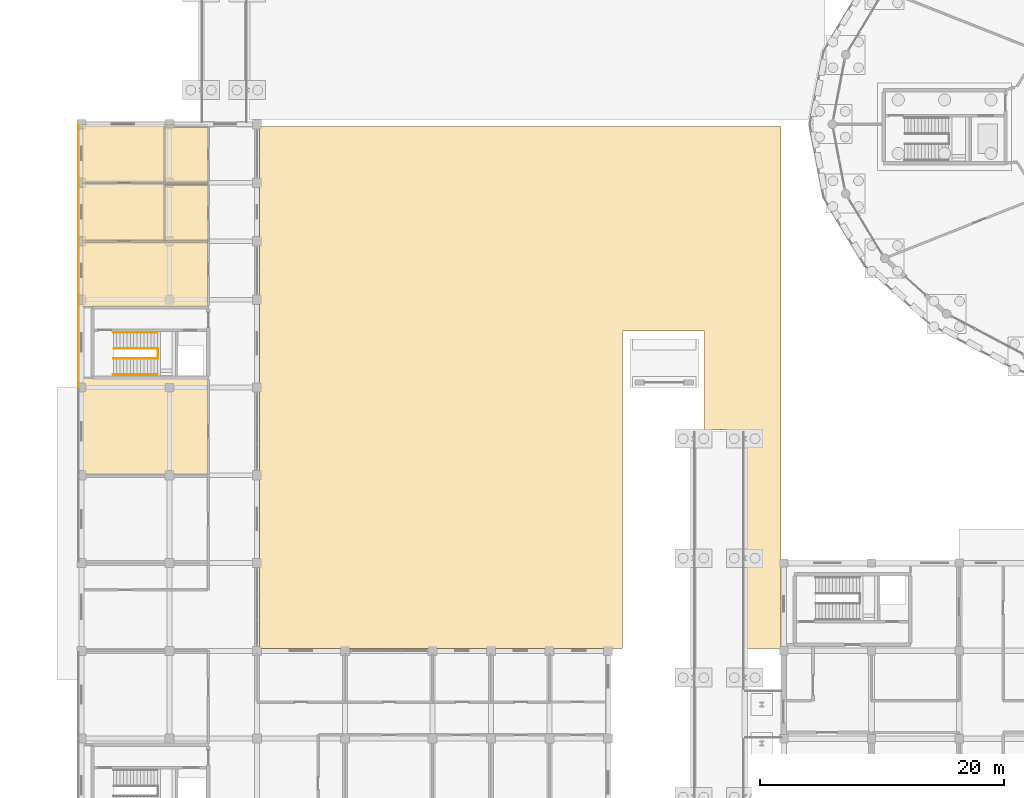
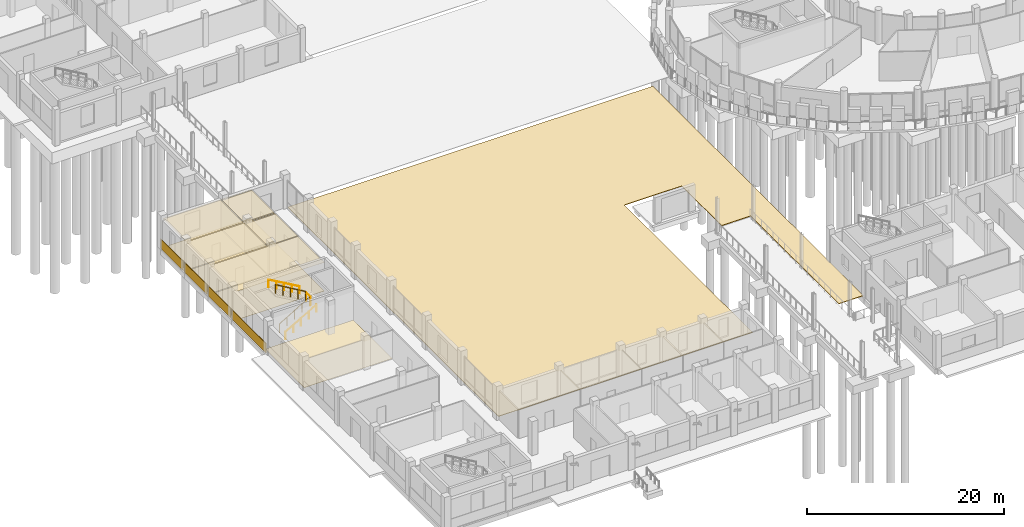
# One storey, part 89 of 98: 16 coverings, 5 railings.
"""IFC4 building model written with IfcOpenShell, lengths in metres."""

from ifc_helpers import new_model, si_unit, direction, frame, origin, origin_2d, place, context, subcontext, project, spatial, polyline, rectangle, circle, outline, extrude, material, layer, layer_set, type_object, element, save


model = new_model("IFC4")

# Units and contexts
model_context = context("Model", 3, precision=1e-05, world=origin(), true_north=direction((0.0, 1.0)))
body_context = subcontext(model_context, "Body", "Model", "MODEL_VIEW")
ifc_project = project(units=[si_unit("LENGTHUNIT", "METRE"), si_unit("AREAUNIT", "SQUARE_METRE"), si_unit("VOLUMEUNIT", "CUBIC_METRE"), si_unit("PLANEANGLEUNIT", "RADIAN"), si_unit("MASSUNIT", "GRAM", prefix="KILO")], contexts=[model_context])

# Site, building, storey
site_placement = place(None, origin())
site = spatial("IfcSite", under=ifc_project, at=site_placement, CompositionType="ELEMENT")
building_placement = place(site_placement, origin())
building = spatial("IfcBuilding", under=site, at=building_placement, Name="Zornivar Specialist Clinic", CompositionType="ELEMENT")
storey_placement = place(building_placement, origin())
storey = spatial("IfcBuildingStorey", under=building, at=storey_placement, Name="L00", CompositionType="ELEMENT", Elevation=0.0)

# Coverings
ifc_material_1 = material(Name="Washable Acoustic Mineral Clinical Ceiling")
ifc_layer_1 = layer(ifc_material_1, 0.01806640625)
ifc_layer_set_1 = layer_set([ifc_layer_1], Name="Washable Acoustic Mineral Clinical Ceiling")
covering_type_1 = type_object("IfcCoveringType", Name="COV-CEIL-CLIN-18", PredefinedType="CEILING", material=ifc_layer_set_1)
covering_1_placement = place(storey_placement, frame((0.0, 0.0, 3.56201171875)))
element("IfcCovering", 1, at=covering_1_placement, inside=storey, type_object=covering_type_1, Name="ceil:space:V2:L00:rm:04", PredefinedType="CEILING", context=body_context, shape_type="SweptSolid", body=[
    extrude(outline(polyline([(10.360107421875, 47.9599609375), (10.360107421875, 42.639892578125), (0.0400390625, 42.639892578125), (0.0400390625, 47.9599609375), (10.360107421875, 47.9599609375)])), origin(), (0.0, 0.0, 1.0), 0.01806640625),
])
covering_2_placement = place(storey_placement, frame((0.0, 0.0, 3.56201171875)))
element("IfcCovering", 2, at=covering_2_placement, inside=storey, type_object=covering_type_1, Name="ceil:space:V2:L00:rm:05", PredefinedType="CEILING", context=body_context, shape_type="SweptSolid", body=[
    extrude(outline(polyline([(6.840087890625, 48.0400390625), (6.840087890625, 52.56005859375), (10.360107421875, 52.56005859375), (10.360107421875, 48.0400390625), (6.840087890625, 48.0400390625)])), origin(), (0.0, 0.0, 1.0), 0.01806640625),
])
covering_3_placement = place(storey_placement, frame((0.0, 0.0, 3.56201171875)))
element("IfcCovering", 3, at=covering_3_placement, inside=storey, type_object=covering_type_1, Name="ceil:space:V2:L00:rm:05b", PredefinedType="CEILING", context=body_context, shape_type="SweptSolid", body=[
    extrude(outline(polyline([(10.360107421875, 52.639892578125), (6.760009765625, 52.639892578125), (6.760009765625, 48.0400390625), (0.0400390625, 48.0400390625), (0.0400390625, 52.760009765625), (10.360107421875, 52.760009765625), (10.360107421875, 52.639892578125)])), origin(), (0.0, 0.0, 1.0), 0.01806640625),
])
covering_4_placement = place(storey_placement, frame((0.0, 0.0, 3.56201171875)))
element("IfcCovering", 4, at=covering_4_placement, inside=storey, type_object=covering_type_1, Name="ceil:space:V2:L00:rm:07", PredefinedType="CEILING", context=body_context, shape_type="SweptSolid", body=[
    extrude(outline(polyline([(6.840087890625, 52.840087890625), (6.840087890625, 57.360107421875), (10.360107421875, 57.360107421875), (10.360107421875, 52.840087890625), (6.840087890625, 52.840087890625)])), origin(), (0.0, 0.0, 1.0), 0.01806640625),
])
covering_5_placement = place(storey_placement, frame((0.0, 0.0, 3.56201171875)))
element("IfcCovering", 5, at=covering_5_placement, inside=storey, type_object=covering_type_1, Name="ceil:space:V2:L00:rm:07b", PredefinedType="CEILING", context=body_context, shape_type="SweptSolid", body=[
    extrude(outline(polyline([(10.360107421875, 57.43994140625), (6.760009765625, 57.43994140625), (6.760009765625, 52.840087890625), (0.0400390625, 52.840087890625), (0.0400390625, 57.56005859375), (10.360107421875, 57.56005859375), (10.360107421875, 57.43994140625)])), origin(), (0.0, 0.0, 1.0), 0.01806640625),
])
ifc_material_2 = material(Name="Coursed Vratsa Limestone Plinth Cladding", Category="masonry")
ifc_layer_2 = layer(ifc_material_2, 0.050048828125)
ifc_layer_set_2 = layer_set([ifc_layer_2], Name="Coursed Vratsa Limestone Plinth Cladding")
covering_type_2 = type_object("IfcCoveringType", Name="COV-CLAD-VRATSA-50", PredefinedType="CLADDING", material=ifc_layer_set_2)
for number, where, z_axis, x_axis, name in (
    (6, (-0.235107421875, 55.199951171875, 0.0), (0.0, 0.0, 1.0), (0.0, -1.0, 0.0), "clad:V2:L00:23"),
    (7, (-0.235107421875, 50.39990234375, 0.0), (0.0, 0.0, 1.0), (0.0, -1.0, 0.0), "clad:V2:L00:24"),
    (8, (-0.235107421875, 45.60009765625, 0.0), (0.0, 0.0, 1.0), (0.0, -1.0, 0.0), "clad:V2:L00:25"),
):
    element("IfcCovering", number, at=place(storey_placement, frame(where, z_axis=z_axis, x_axis=x_axis)), inside=storey, type_object=covering_type_2, Name=name, PredefinedType="CLADDING", context=body_context, shape_type="SweptSolid", body=[
        extrude(rectangle(XDim=4.60009765625, YDim=0.050048828125, at=origin_2d()), origin(), (0.0, 0.0, 1.0), 1.199951171875),
    ])
covering_6_placement = place(storey_placement, frame((-0.235107421875, 39.60009765625, 0.0), z_axis=(0.0, 0.0, 1.0), x_axis=(0.0, -1.0, 0.0)))
element("IfcCovering", 9, at=covering_6_placement, inside=storey, type_object=covering_type_2, Name="clad:V2:L00:26", PredefinedType="CLADDING", context=body_context, shape_type="SweptSolid", body=[
    extrude(rectangle(XDim=7.0, YDim=0.050048828125, at=origin_2d()), origin(), (0.0, 0.0, 1.0), 1.199951171875),
])
ifc_material_3 = material(Name="Homogeneous Anti-Static Clinical Vinyl Flooring")
ifc_layer_3 = layer(ifc_material_3, 0.011962890625)
ifc_layer_set_3 = layer_set([ifc_layer_3], Name="Homogeneous Anti-Static Clinical Vinyl Flooring")
covering_type_3 = type_object("IfcCoveringType", Name="COV-FLR-VINYL-12", PredefinedType="FLOORING", material=ifc_layer_set_3)
covering_7_placement = place(storey_placement, origin())
element("IfcCovering", 10, at=covering_7_placement, inside=storey, type_object=covering_type_3, Name="flr:space:V2:L00:rm:03", PredefinedType="FLOORING", context=body_context, shape_type="SweptSolid", body=[
    extrude(outline(polyline([(10.360107421875, 28.840087890625), (0.0400390625, 28.840087890625), (0.0400390625, 36.760009765625), (10.360107421875, 36.760009765625), (10.360107421875, 28.840087890625)])), origin(), (0.0, 0.0, 1.0), 0.011962890625),
])
covering_8_placement = place(storey_placement, origin())
element("IfcCovering", 11, at=covering_8_placement, inside=storey, type_object=covering_type_3, Name="flr:space:V2:L00:rm:04", PredefinedType="FLOORING", context=body_context, shape_type="SweptSolid", body=[
    extrude(outline(polyline([(10.360107421875, 47.9599609375), (10.360107421875, 42.639892578125), (0.0400390625, 42.639892578125), (0.0400390625, 47.9599609375), (10.360107421875, 47.9599609375)])), origin(), (0.0, 0.0, 1.0), 0.011962890625),
])
covering_9_placement = place(storey_placement, origin())
element("IfcCovering", 12, at=covering_9_placement, inside=storey, type_object=covering_type_3, Name="flr:space:V2:L00:rm:05", PredefinedType="FLOORING", context=body_context, shape_type="SweptSolid", body=[
    extrude(outline(polyline([(6.840087890625, 48.0400390625), (6.840087890625, 52.56005859375), (10.360107421875, 52.56005859375), (10.360107421875, 48.0400390625), (6.840087890625, 48.0400390625)])), origin(), (0.0, 0.0, 1.0), 0.011962890625),
])
covering_10_placement = place(storey_placement, origin())
element("IfcCovering", 13, at=covering_10_placement, inside=storey, type_object=covering_type_3, Name="flr:space:V2:L00:rm:05b", PredefinedType="FLOORING", context=body_context, shape_type="SweptSolid", body=[
    extrude(outline(polyline([(10.360107421875, 52.639892578125), (6.760009765625, 52.639892578125), (6.760009765625, 48.0400390625), (0.0400390625, 48.0400390625), (0.0400390625, 52.760009765625), (10.360107421875, 52.760009765625), (10.360107421875, 52.639892578125)])), origin(), (0.0, 0.0, 1.0), 0.011962890625),
])
covering_11_placement = place(storey_placement, origin())
element("IfcCovering", 14, at=covering_11_placement, inside=storey, type_object=covering_type_3, Name="flr:space:V2:L00:rm:07", PredefinedType="FLOORING", context=body_context, shape_type="SweptSolid", body=[
    extrude(outline(polyline([(6.840087890625, 52.840087890625), (6.840087890625, 57.360107421875), (10.360107421875, 57.360107421875), (10.360107421875, 52.840087890625), (6.840087890625, 52.840087890625)])), origin(), (0.0, 0.0, 1.0), 0.011962890625),
])
covering_12_placement = place(storey_placement, origin())
element("IfcCovering", 15, at=covering_12_placement, inside=storey, type_object=covering_type_3, Name="flr:space:V2:L00:rm:07b", PredefinedType="FLOORING", context=body_context, shape_type="SweptSolid", body=[
    extrude(outline(polyline([(10.360107421875, 57.43994140625), (6.760009765625, 57.43994140625), (6.760009765625, 52.840087890625), (0.0400390625, 52.840087890625), (0.0400390625, 57.56005859375), (10.360107421875, 57.56005859375), (10.360107421875, 57.43994140625)])), origin(), (0.0, 0.0, 1.0), 0.011962890625),
])
ifc_material_4 = material(Name="Bush-Hammered Vratsa Limestone Courtyard Paving", Category="masonry")
ifc_layer_4 = layer(ifc_material_4, 0.06005859375)
ifc_layer_set_4 = layer_set([ifc_layer_4], Name="Bush-Hammered Vratsa Limestone Courtyard Paving")
covering_type_4 = type_object("IfcCoveringType", Name="COV-PAVING-STONE-60", PredefinedType="USERDEFINED", material=ifc_layer_set_4)
covering_13_placement = place(storey_placement, frame((0.0, 0.0, -0.06005859375)))
element("IfcCovering", 16, at=covering_13_placement, inside=storey, type_object=covering_type_4, Name="cov:paving:L00:0:west_court", ObjectType="PAVING", PredefinedType="USERDEFINED", context=body_context, shape_type="SweptSolid", body=[
    extrude(outline(polyline([(14.60009765625, 57.39990234375), (57.39990234375, 57.39990234375), (57.39990234375, 14.60009765625), (54.52001953125, 14.60009765625), (54.52001953125, 32.52001953125), (51.1201171875, 32.52001953125), (51.1201171875, 40.6201171875), (44.3798828125, 40.6201171875), (44.3798828125, 14.60009765625), (14.60009765625, 14.60009765625), (14.60009765625, 57.39990234375)])), origin(), (0.0, 0.0, 1.0), 0.06005859375),
])

# Railings
ifc_material_5 = material(Name="Brushed Stainless Steel Stair Guardrail", Category="steel")
railing_type_1 = type_object("IfcRailingType", Name="GRD-INT-STAIR-1100", PredefinedType="GUARDRAIL", material=ifc_material_5)
railing_1_placement = place(storey_placement, frame((2.639892578125, 38.3798828125, 0.160888671875)))
element("IfcRailing", 17, at=railing_1_placement, inside=storey, type_object=railing_type_1, Name="stair:C2:L00:grd1", PredefinedType="GUARDRAIL", context=body_context, shape_type="SweptSolid", body=[
    extrude(circle(Radius=0.02392578125, at=origin_2d()), frame((0.0, 0.0, 1.076171875), z_axis=(0.862467420366, 0.0, 0.50611258511), x_axis=(0.0, 1.0, 0.0)), (0.0, 0.0, 1.0), 4.127685546875),
    extrude(circle(Radius=0.02099609375, at=origin_2d()), origin(), (0.0, 0.0, 1.0), 1.052001953125),
    extrude(circle(Radius=0.02099609375, at=origin_2d()), frame((0.89013671875, 0.0, 0.522216796875)), (0.0, 0.0, 1.0), 1.052001953125),
    extrude(circle(Radius=0.02099609375, at=origin_2d()), frame((1.780029296875, 0.0, 1.04443359375)), (0.0, 0.0, 1.0), 1.052001953125),
    extrude(circle(Radius=0.02099609375, at=origin_2d()), frame((2.669921875, 0.0, 1.56689453125)), (0.0, 0.0, 1.0), 1.052001953125),
    extrude(circle(Radius=0.02099609375, at=origin_2d()), frame((3.56005859375, 0.0, 2.089111328125)), (0.0, 0.0, 1.0), 1.052001953125),
])
railing_2_placement = place(storey_placement, frame((6.199951171875, 39.219970703125, 2.410888671875)))
element("IfcRailing", 18, at=railing_2_placement, inside=storey, type_object=railing_type_1, Name="stair:C2:L00:grd2", PredefinedType="GUARDRAIL", context=body_context, shape_type="SweptSolid", body=[
    extrude(circle(Radius=0.02392578125, at=origin_2d()), frame((0.0, 0.0, 1.076171875), z_axis=(-0.861217264902, 0.0, 0.50823697488), x_axis=(0.0, -1.0, 0.0)), (0.0, 0.0, 1.0), 4.110595703125),
    extrude(circle(Radius=0.02099609375, at=origin_2d()), origin(), (0.0, 0.0, 1.0), 1.052001953125),
    extrude(circle(Radius=0.02099609375, at=origin_2d()), frame((-0.885009765625, 0.0, 0.522216796875)), (0.0, 0.0, 1.0), 1.052001953125),
    extrude(circle(Radius=0.02099609375, at=origin_2d()), frame((-1.77001953125, 0.0, 1.04443359375)), (0.0, 0.0, 1.0), 1.052001953125),
    extrude(circle(Radius=0.02099609375, at=origin_2d()), frame((-2.655029296875, 0.0, 1.56689453125)), (0.0, 0.0, 1.0), 1.052001953125),
    extrude(circle(Radius=0.02099609375, at=origin_2d()), frame((-3.5400390625, 0.0, 2.089111328125)), (0.0, 0.0, 1.0), 1.052001953125),
])
railing_3_placement = place(storey_placement, frame((6.27001953125, 38.3798828125, 2.25)))
element("IfcRailing", 19, at=railing_3_placement, inside=storey, type_object=railing_type_1, Name="stair:C2:L00:grdl", PredefinedType="GUARDRAIL", context=body_context, shape_type="SweptSolid", body=[
    extrude(circle(Radius=0.02392578125, at=origin_2d()), frame((0.0, 0.0, 1.076171875), z_axis=(0.0, 1.0, 0.0), x_axis=(-1.0, 0.0, 0.0)), (0.0, 0.0, 1.0), 0.840087890625),
    extrude(circle(Radius=0.02099609375, at=origin_2d()), origin(), (0.0, 0.0, 1.0), 1.052001953125),
    extrude(circle(Radius=0.02099609375, at=origin_2d()), frame((0.0, 0.840087890625, 0.0)), (0.0, 0.0, 1.0), 1.052001953125),
])
ifc_material_6 = material(Name="Brushed Stainless Steel Continuous Handrail", Category="steel")
railing_type_2 = type_object("IfcRailingType", Name="HRL-STAIR-0920", PredefinedType="HANDRAIL", material=ifc_material_6)
railing_4_placement = place(storey_placement, frame((2.60009765625, 37.070068359375, 0.160888671875)))
element("IfcRailing", 20, at=railing_4_placement, inside=storey, type_object=railing_type_2, Name="stair:C2:L00:hr1", PredefinedType="HANDRAIL", context=body_context, shape_type="SweptSolid", body=[
    extrude(circle(Radius=0.02392578125, at=origin_2d()), frame((0.0, 0.0, 0.89599609375), z_axis=(0.867300072446, 0.0, 0.497785681127), x_axis=(0.0, 1.0, 0.0)), (0.0, 0.0, 1.0), 4.19677734375),
    extrude(circle(Radius=0.02099609375, at=origin_2d()), origin(), (0.0, 0.0, 1.0), 0.871826171875),
    extrude(circle(Radius=0.02099609375, at=origin_2d()), frame((0.909912109375, 0.0, 0.522216796875)), (0.0, 0.0, 1.0), 0.871826171875),
    extrude(circle(Radius=0.02099609375, at=origin_2d()), frame((1.81982421875, 0.0, 1.04443359375)), (0.0, 0.0, 1.0), 0.871826171875),
    extrude(circle(Radius=0.02099609375, at=origin_2d()), frame((2.72998046875, 0.0, 1.56689453125)), (0.0, 0.0, 1.0), 0.871826171875),
    extrude(circle(Radius=0.02099609375, at=origin_2d()), frame((3.639892578125, 0.0, 2.089111328125)), (0.0, 0.0, 1.0), 0.871826171875),
])
railing_5_placement = place(storey_placement, frame((6.239990234375, 40.530029296875, 2.410888671875)))
element("IfcRailing", 21, at=railing_5_placement, inside=storey, type_object=railing_type_2, Name="stair:C2:L00:hr2", PredefinedType="HANDRAIL", context=body_context, shape_type="SweptSolid", body=[
    extrude(circle(Radius=0.02392578125, at=origin_2d()), frame((0.0, 0.0, 0.89599609375), z_axis=(-0.866110694346, 0.0, 0.499852243307), x_axis=(0.0, -1.0, 0.0)), (0.0, 0.0, 1.0), 4.179443359375),
    extrude(circle(Radius=0.02099609375, at=origin_2d()), origin(), (0.0, 0.0, 1.0), 0.871826171875),
    extrude(circle(Radius=0.02099609375, at=origin_2d()), frame((-0.905029296875, 0.0, 0.522216796875)), (0.0, 0.0, 1.0), 0.871826171875),
    extrude(circle(Radius=0.02099609375, at=origin_2d()), frame((-1.81005859375, 0.0, 1.04443359375)), (0.0, 0.0, 1.0), 0.871826171875),
    extrude(circle(Radius=0.02099609375, at=origin_2d()), frame((-2.71484375, 0.0, 1.56689453125)), (0.0, 0.0, 1.0), 0.871826171875),
    extrude(circle(Radius=0.02099609375, at=origin_2d()), frame((-3.619873046875, 0.0, 2.089111328125)), (0.0, 0.0, 1.0), 0.871826171875),
])

save(model, "model.ifc")
